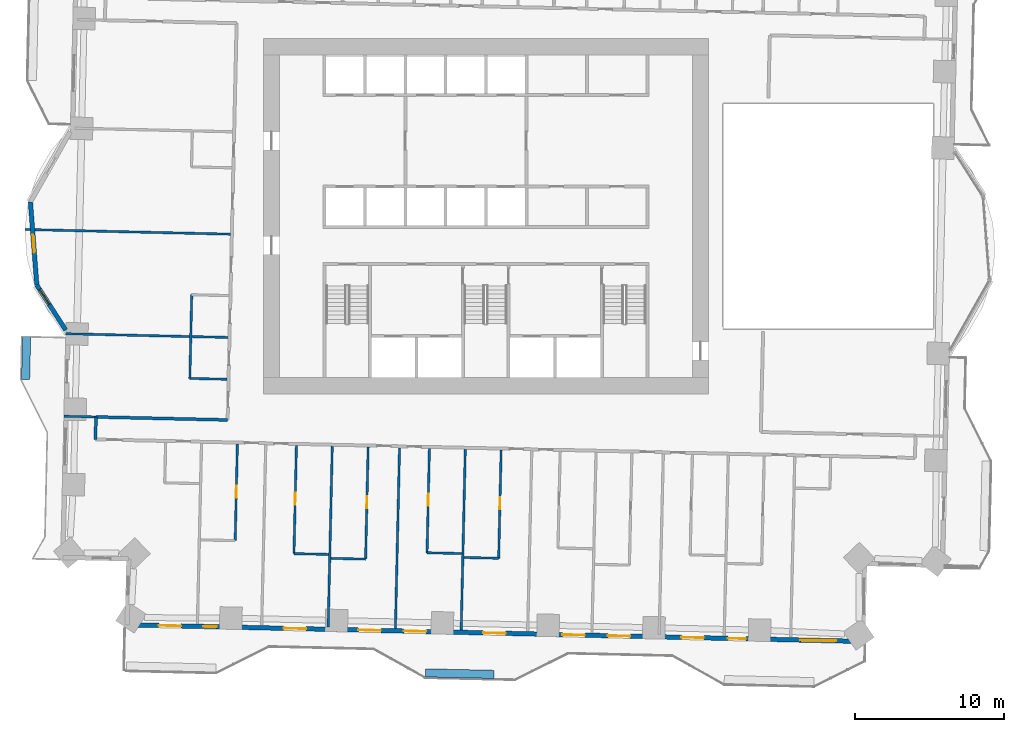
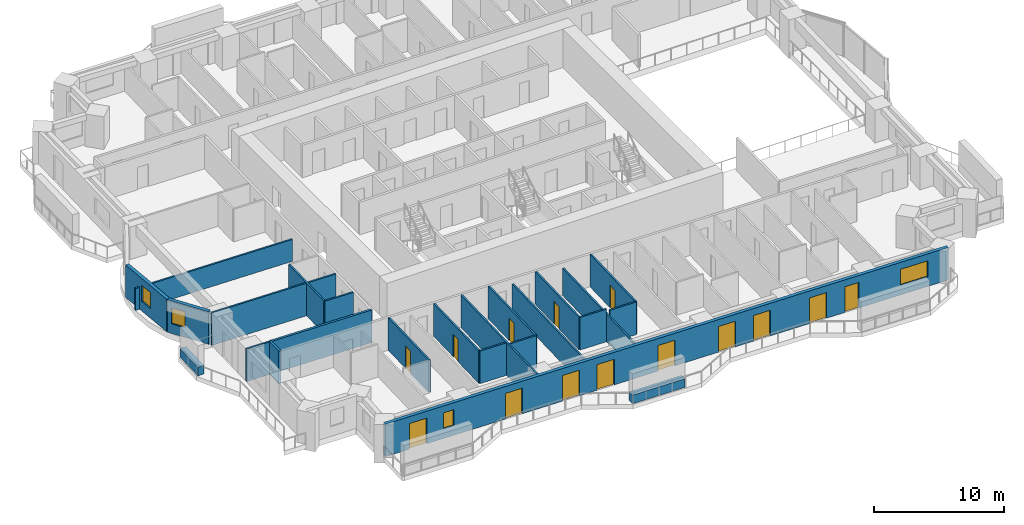
# One storey, part 8 of 20: 24 walls, 14 doors, 4 windows, 18 openings.
"""IFC4 building model written with IfcOpenShell, lengths in metres."""

from ifc_helpers import new_model, si_unit, direction, frame, frame_2d, origin, place, context, subcontext, project, spatial, rectangle, extrude, material, layer, layer_set, type_object, element, fill, save


model = new_model("IFC4")

# Units and contexts
model_context = context("Model", 3, precision=1e-05, world=origin(), true_north=direction((0.0, 1.0)))
body_context = subcontext(model_context, "Body", "Model", "MODEL_VIEW")
ifc_project = project(units=[si_unit("LENGTHUNIT", "METRE"), si_unit("AREAUNIT", "SQUARE_METRE"), si_unit("VOLUMEUNIT", "CUBIC_METRE"), si_unit("PLANEANGLEUNIT", "RADIAN"), si_unit("MASSUNIT", "GRAM", prefix="KILO")], contexts=[model_context])

# Site, building, storey
site_placement = place(None, origin())
site = spatial("IfcSite", under=ifc_project, at=site_placement, CompositionType="ELEMENT")
building_placement = place(site_placement, origin())
building = spatial("IfcBuilding", under=site, at=building_placement, Name="Mangrove Gate Tower", CompositionType="ELEMENT")
storey_placement = place(building_placement, frame((0.0, 0.0, 60.300048828125)))
storey = spatial("IfcBuildingStorey", under=building, at=storey_placement, Name="L14", CompositionType="ELEMENT", Elevation=60.300048828125)

# Walls
ifc_material_1 = material(Name="Gypsum board on steel stud, EI 60", Category="steel")
ifc_layer_1 = layer(ifc_material_1, 0.199951171875)
ifc_layer_set_1 = layer_set([ifc_layer_1], Name="Corridor wall EI 60")
wall_type_1 = type_object("IfcWallType", Name="Corridor wall EI 60", PredefinedType="PARTITIONING", material=ifc_layer_set_1)
wall_1_placement = place(storey_placement, frame((-26.1279296875, -14.924072265625, 0.0), z_axis=(0.0, 0.0, 1.0), x_axis=(0.022632637625, 0.99974384905, 0.0)))
element("IfcWall", 1, at=wall_1_placement, inside=storey, type_object=wall_type_1, Name="WALL-L14-033", PredefinedType="PARTITIONING", context=body_context, shape_type="SweptSolid", body=[
    extrude(rectangle(XDim=1.49951171875, YDim=0.199951171875, at=frame_2d((0.749755859375, 0.0))), origin(), (0.0, 0.0, 1.0), 3.050048828125),
])
wall_2_placement = place(storey_placement, frame((-26.092041015625, -13.425048828125, 0.0), z_axis=(0.0, 0.0, 1.0), x_axis=(0.999742550188, -0.022689939273, 0.0)))
element("IfcWall", 2, at=wall_2_placement, inside=storey, type_object=wall_type_1, Name="WALL-L14-037", PredefinedType="PARTITIONING", context=body_context, shape_type="SweptSolid", body=[
    extrude(rectangle(XDim=8.812255859375, YDim=0.199951171875, at=frame_2d((4.40625, 0.0))), origin(), (0.0, 0.0, 1.0), 3.050048828125),
])

# Wall, opening, window
ifc_material_2 = material(Name="Limestone", Category="masonry")
ifc_layer_2 = layer(ifc_material_2, 0.0400390625, Name="Limestone cladding")
ifc_material_3 = material(Name="Ventilated air gap")
ifc_layer_3 = layer(ifc_material_3, 0.0400390625, Name="Ventilated cavity")
ifc_material_4 = material(Name="Mineral wool insulation")
ifc_layer_4 = layer(ifc_material_4, 0.06005859375, Name="Insulation")
ifc_material_5 = material(Name="Breather membrane")
ifc_layer_5 = layer(ifc_material_5, 0.001953125, Name="Breather membrane")
ifc_material_6 = material(Name="Concrete C20/25 blockwork", Category="masonry")
ifc_layer_6 = layer(ifc_material_6, 0.14990234375, Name="Blockwork backing wall")
ifc_material_7 = material(Name="Gypsum plaster")
ifc_layer_7 = layer(ifc_material_7, 0.008056640625, Name="Internal plaster")
ifc_layer_set_2 = layer_set([ifc_layer_2, ifc_layer_3, ifc_layer_4, ifc_layer_5, ifc_layer_6, ifc_layer_7], Name="External wall 300 limestone cladding")
wall_type_2 = type_object("IfcWallType", Name="External wall 300 limestone cladding", PredefinedType="SOLIDWALL", material=ifc_layer_set_2)
wall_3_placement = place(storey_placement, frame((-30.47900390625, 0.951904296875, 0.0), z_axis=(0.0, 0.0, 1.0), x_axis=(0.076964476481, -0.997033835614, 0.0)))
wall_3 = element("IfcWall", 3, at=wall_3_placement, inside=storey, type_object=wall_type_2, Name="WALL-L14-W9f2", PredefinedType="SOLIDWALL", context=body_context, shape_type="SweptSolid", body=[
    extrude(rectangle(XDim=5.573486328125, YDim=0.300048828125, at=frame_2d((2.78662109375, 0.0))), origin(), (0.0, 0.0, 1.0), 3.050048828125),
])
opening_1_placement = place(wall_3_placement, frame((2.18603515625, 0.0, 0.89990234375)))
opening_1 = element("IfcOpeningElement", 4, at=opening_1_placement, cuts=wall_3, Name="Opening W1", PredefinedType="OPENING", context=body_context, shape_type="SweptSolid", body=[
    extrude(rectangle(XDim=1.199951171875, YDim=1.5, at=frame_2d((0.60009765625, 0.75))), frame((0.0, 0.159912109375, 0.0), z_axis=(0.0, -1.0, 0.0), x_axis=(1.0, 0.0, 0.0)), (0.0, 0.0, 1.0), 0.320068359375),
])
ifc_material_8 = material(Name="Aluminium frame with double-glazed low-e glass", Category="aluminium")
window_type_1 = type_object("IfcWindowType", Name="Side lite 1200x1500", PartitioningType="SINGLE_PANEL", PredefinedType="WINDOW", material=ifc_material_8)
window_1_placement = place(opening_1_placement, origin())
window_1 = element("IfcWindow", 5, at=window_1_placement, inside=storey, type_object=window_type_1, Name="WIN-L14-W9f2", OverallHeight=1.5, OverallWidth=1.199951171875, PartitioningType="SINGLE_PANEL", PredefinedType="WINDOW", context=body_context, shape_type="SweptSolid", body=[
    extrude(rectangle(XDim=1.199951171875, YDim=1.5, at=frame_2d((0.60009765625, 0.75))), frame((0.0, 0.030029296875, 0.0), z_axis=(0.0, -1.0, 0.0), x_axis=(1.0, 0.0, 0.0)), (0.0, 0.0, 1.0), 0.06005859375),
])
fill(opening_1, window_1)

wall_4_placement = place(storey_placement, frame((-30.050048828125, -4.60498046875, 0.0), z_axis=(0.0, 0.0, 1.0), x_axis=(0.540653885242, -0.841245134532, 0.0)))
wall_4 = element("IfcWall", 6, at=wall_4_placement, inside=storey, type_object=wall_type_2, Name="WALL-L14-W9f3", PredefinedType="SOLIDWALL", context=body_context, shape_type="SweptSolid", body=[
    extrude(rectangle(XDim=3.569580078125, YDim=0.300048828125, at=frame_2d((1.78466796875, 0.0))), origin(), (0.0, 0.0, 1.0), 3.050048828125),
])
opening_2_placement = place(wall_4_placement, frame((0.337890625, 0.0, 0.89990234375)))
opening_2 = element("IfcOpeningElement", 7, at=opening_2_placement, cuts=wall_4, Name="Opening W1", PredefinedType="OPENING", context=body_context, shape_type="SweptSolid", body=[
    extrude(rectangle(XDim=1.199951171875, YDim=1.5, at=frame_2d((0.60009765625, 0.75))), frame((0.0, 0.159912109375, 0.0), z_axis=(0.0, -1.0, 0.0), x_axis=(1.0, 0.0, 0.0)), (0.0, 0.0, 1.0), 0.320068359375),
])
window_2_placement = place(opening_2_placement, origin())
window_2 = element("IfcWindow", 8, at=window_2_placement, inside=storey, type_object=window_type_1, Name="WIN-L14-W9f3", OverallHeight=1.5, OverallWidth=1.199951171875, PartitioningType="SINGLE_PANEL", PredefinedType="WINDOW", context=body_context, shape_type="SweptSolid", body=[
    extrude(rectangle(XDim=1.199951171875, YDim=1.5, at=frame_2d((0.60009765625, 0.75))), frame((0.0, 0.030029296875, 0.0), z_axis=(0.0, -1.0, 0.0), x_axis=(1.0, 0.0, 0.0)), (0.0, 0.0, 1.0), 0.06005859375),
])
fill(opening_2, window_2)

# Wall, openings, doors, windows
wall_5_placement = place(storey_placement, frame((-24.007080078125, -27.325927734375, 0.0), z_axis=(0.0, 0.0, 1.0), x_axis=(0.999742536491, -0.022690542744, 0.0)))
wall_5 = element("IfcWall", 9, at=wall_5_placement, inside=storey, type_object=wall_type_2, Name="WALL-L14-S13", PredefinedType="SOLIDWALL", context=body_context, shape_type="SweptSolid", body=[
    extrude(rectangle(XDim=49.23583984375, YDim=0.300048828125, at=frame_2d((24.617919921875, 0.0))), origin(), (0.0, 0.0, 1.0), 3.050048828125),
])
opening_3_placement = place(wall_5_placement, frame((2.114990234375, 0.0, 0.0)))
opening_3 = element("IfcOpeningElement", 10, at=opening_3_placement, cuts=wall_5, Name="Opening BD1", PredefinedType="OPENING", context=body_context, shape_type="SweptSolid", body=[
    extrude(rectangle(XDim=1.5, YDim=2.39990234375, at=frame_2d((0.75, 1.199951171875))), frame((0.0, 0.159912109375, 0.0), z_axis=(0.0, -1.0, 0.0), x_axis=(1.0, 0.0, 0.0)), (0.0, 0.0, 1.0), 0.320068359375),
])
opening_4_placement = place(wall_5_placement, frame((5.087890625, 0.0, 0.89990234375)))
opening_4 = element("IfcOpeningElement", 11, at=opening_4_placement, cuts=wall_5, Name="Opening W5", PredefinedType="OPENING", context=body_context, shape_type="SweptSolid", body=[
    extrude(rectangle(XDim=0.89990234375, YDim=1.5, at=frame_2d((0.449951171875, 0.75))), frame((0.0, 0.159912109375, 0.0), z_axis=(0.0, -1.0, 0.0), x_axis=(1.0, 0.0, 0.0)), (0.0, 0.0, 1.0), 0.320068359375),
])
opening_5_placement = place(wall_5_placement, frame((10.47509765625, 0.0, 0.0)))
opening_5 = element("IfcOpeningElement", 12, at=opening_5_placement, cuts=wall_5, Name="Opening BD1", PredefinedType="OPENING", context=body_context, shape_type="SweptSolid", body=[
    extrude(rectangle(XDim=1.5, YDim=2.39990234375, at=frame_2d((0.75, 1.199951171875))), frame((0.0, 0.159912109375, 0.0), z_axis=(0.0, -1.0, 0.0), x_axis=(1.0, 0.0, 0.0)), (0.0, 0.0, 1.0), 0.320068359375),
])
opening_6_placement = place(wall_5_placement, frame((15.47705078125, 0.0, 0.0)))
opening_6 = element("IfcOpeningElement", 13, at=opening_6_placement, cuts=wall_5, Name="Opening BD1", PredefinedType="OPENING", context=body_context, shape_type="SweptSolid", body=[
    extrude(rectangle(XDim=1.5, YDim=2.39990234375, at=frame_2d((0.75, 1.199951171875))), frame((0.0, 0.159912109375, 0.0), z_axis=(0.0, -1.0, 0.0), x_axis=(1.0, 0.0, 0.0)), (0.0, 0.0, 1.0), 0.320068359375),
])
opening_7_placement = place(wall_5_placement, frame((18.514892578125, 0.0, 0.0)))
opening_7 = element("IfcOpeningElement", 14, at=opening_7_placement, cuts=wall_5, Name="Opening BD1", PredefinedType="OPENING", context=body_context, shape_type="SweptSolid", body=[
    extrude(rectangle(XDim=1.5, YDim=2.39990234375, at=frame_2d((0.75, 1.199951171875))), frame((0.0, 0.159912109375, 0.0), z_axis=(0.0, -1.0, 0.0), x_axis=(1.0, 0.0, 0.0)), (0.0, 0.0, 1.0), 0.320068359375),
])
opening_8_placement = place(wall_5_placement, frame((23.824951171875, 0.0, 0.0)))
opening_8 = element("IfcOpeningElement", 15, at=opening_8_placement, cuts=wall_5, Name="Opening BD1", PredefinedType="OPENING", context=body_context, shape_type="SweptSolid", body=[
    extrude(rectangle(XDim=1.5, YDim=2.39990234375, at=frame_2d((0.75, 1.199951171875))), frame((0.0, 0.159912109375, 0.0), z_axis=(0.0, -1.0, 0.0), x_axis=(1.0, 0.0, 0.0)), (0.0, 0.0, 1.0), 0.320068359375),
])
opening_9_placement = place(wall_5_placement, frame((29.1279296875, 0.0, 0.0)))
opening_9 = element("IfcOpeningElement", 16, at=opening_9_placement, cuts=wall_5, Name="Opening BD1", PredefinedType="OPENING", context=body_context, shape_type="SweptSolid", body=[
    extrude(rectangle(XDim=1.5, YDim=2.39990234375, at=frame_2d((0.75, 1.199951171875))), frame((0.0, 0.159912109375, 0.0), z_axis=(0.0, -1.0, 0.0), x_axis=(1.0, 0.0, 0.0)), (0.0, 0.0, 1.0), 0.320068359375),
])
opening_10_placement = place(wall_5_placement, frame((32.166015625, 0.0, 0.0)))
opening_10 = element("IfcOpeningElement", 17, at=opening_10_placement, cuts=wall_5, Name="Opening BD1", PredefinedType="OPENING", context=body_context, shape_type="SweptSolid", body=[
    extrude(rectangle(XDim=1.5, YDim=2.39990234375, at=frame_2d((0.75, 1.199951171875))), frame((0.0, 0.159912109375, 0.0), z_axis=(0.0, -1.0, 0.0), x_axis=(1.0, 0.0, 0.0)), (0.0, 0.0, 1.0), 0.320068359375),
])
opening_11_placement = place(wall_5_placement, frame((37.091064453125, 0.0, 0.0)))
opening_11 = element("IfcOpeningElement", 18, at=opening_11_placement, cuts=wall_5, Name="Opening BD1", PredefinedType="OPENING", context=body_context, shape_type="SweptSolid", body=[
    extrude(rectangle(XDim=1.5, YDim=2.39990234375, at=frame_2d((0.75, 1.199951171875))), frame((0.0, 0.159912109375, 0.0), z_axis=(0.0, -1.0, 0.0), x_axis=(1.0, 0.0, 0.0)), (0.0, 0.0, 1.0), 0.320068359375),
])
opening_12_placement = place(wall_5_placement, frame((40.205078125, 0.0, 0.0)))
opening_12 = element("IfcOpeningElement", 19, at=opening_12_placement, cuts=wall_5, Name="Opening BD2", PredefinedType="OPENING", context=body_context, shape_type="SweptSolid", body=[
    extrude(rectangle(XDim=1.199951171875, YDim=2.39990234375, at=frame_2d((0.60009765625, 1.199951171875))), frame((0.0, 0.159912109375, 0.0), z_axis=(0.0, -1.0, 0.0), x_axis=(1.0, 0.0, 0.0)), (0.0, 0.0, 1.0), 0.320068359375),
])
opening_13_placement = place(wall_5_placement, frame((45.047119140625, 0.0, 0.89990234375)))
opening_13 = element("IfcOpeningElement", 20, at=opening_13_placement, cuts=wall_5, Name="Opening W2", PredefinedType="OPENING", context=body_context, shape_type="SweptSolid", body=[
    extrude(rectangle(XDim=2.39990234375, YDim=1.5, at=frame_2d((1.199951171875, 0.75))), frame((0.0, 0.159912109375, 0.0), z_axis=(0.0, -1.0, 0.0), x_axis=(1.0, 0.0, 0.0)), (0.0, 0.0, 1.0), 0.320068359375),
])
ifc_material_9 = material(Name="Aluminium frame with laminated clear glass", Category="aluminium")
door_type_1 = type_object("IfcDoorType", Name="Balcony sliding door 1200x2400", OperationType="SLIDING_TO_LEFT", PredefinedType="DOOR", material=ifc_material_9)
door_1_placement = place(opening_12_placement, origin())
door_1 = element("IfcDoor", 21, at=door_1_placement, inside=storey, type_object=door_type_1, Name="DOOR-L14-S13-10", OperationType="SLIDING_TO_LEFT", OverallHeight=2.39990234375, OverallWidth=1.199951171875, PredefinedType="DOOR", context=body_context, shape_type="SweptSolid", body=[
    extrude(rectangle(XDim=1.199951171875, YDim=2.39990234375, at=frame_2d((0.60009765625, 1.199951171875))), frame((0.0, 0.02490234375, 0.0), z_axis=(0.0, -1.0, 0.0), x_axis=(1.0, 0.0, 0.0)), (0.0, 0.0, 1.0), 0.050048828125),
])
fill(opening_12, door_1)
ifc_material_10 = material(Name="Aluminium frame with laminated clear glass", Category="aluminium")
door_type_2 = type_object("IfcDoorType", Name="Balcony sliding door 1500x2400", OperationType="SLIDING_TO_LEFT", PredefinedType="DOOR", material=ifc_material_10)
door_2_placement = place(opening_3_placement, origin())
door_2 = element("IfcDoor", 22, at=door_2_placement, inside=storey, type_object=door_type_2, Name="DOOR-L14-S13-1", OperationType="SLIDING_TO_LEFT", OverallHeight=2.39990234375, OverallWidth=1.5, PredefinedType="DOOR", context=body_context, shape_type="SweptSolid", body=[
    extrude(rectangle(XDim=1.5, YDim=2.39990234375, at=frame_2d((0.75, 1.199951171875))), frame((0.0, 0.02490234375, 0.0), z_axis=(0.0, -1.0, 0.0), x_axis=(1.0, 0.0, 0.0)), (0.0, 0.0, 1.0), 0.050048828125),
])
fill(opening_3, door_2)
door_3_placement = place(opening_5_placement, origin())
door_3 = element("IfcDoor", 23, at=door_3_placement, inside=storey, type_object=door_type_2, Name="DOOR-L14-S13-3", OperationType="SLIDING_TO_LEFT", OverallHeight=2.39990234375, OverallWidth=1.5, PredefinedType="DOOR", context=body_context, shape_type="SweptSolid", body=[
    extrude(rectangle(XDim=1.5, YDim=2.39990234375, at=frame_2d((0.75, 1.199951171875))), frame((0.0, 0.02490234375, 0.0), z_axis=(0.0, -1.0, 0.0), x_axis=(1.0, 0.0, 0.0)), (0.0, 0.0, 1.0), 0.050048828125),
])
fill(opening_5, door_3)
door_4_placement = place(opening_6_placement, origin())
door_4 = element("IfcDoor", 24, at=door_4_placement, inside=storey, type_object=door_type_2, Name="DOOR-L14-S13-4", OperationType="SLIDING_TO_LEFT", OverallHeight=2.39990234375, OverallWidth=1.5, PredefinedType="DOOR", context=body_context, shape_type="SweptSolid", body=[
    extrude(rectangle(XDim=1.5, YDim=2.39990234375, at=frame_2d((0.75, 1.199951171875))), frame((0.0, 0.02490234375, 0.0), z_axis=(0.0, -1.0, 0.0), x_axis=(1.0, 0.0, 0.0)), (0.0, 0.0, 1.0), 0.050048828125),
])
fill(opening_6, door_4)
door_5_placement = place(opening_7_placement, origin())
door_5 = element("IfcDoor", 25, at=door_5_placement, inside=storey, type_object=door_type_2, Name="DOOR-L14-S13-5", OperationType="SLIDING_TO_LEFT", OverallHeight=2.39990234375, OverallWidth=1.5, PredefinedType="DOOR", context=body_context, shape_type="SweptSolid", body=[
    extrude(rectangle(XDim=1.5, YDim=2.39990234375, at=frame_2d((0.75, 1.199951171875))), frame((0.0, 0.02490234375, 0.0), z_axis=(0.0, -1.0, 0.0), x_axis=(1.0, 0.0, 0.0)), (0.0, 0.0, 1.0), 0.050048828125),
])
fill(opening_7, door_5)
door_6_placement = place(opening_8_placement, origin())
door_6 = element("IfcDoor", 26, at=door_6_placement, inside=storey, type_object=door_type_2, Name="DOOR-L14-S13-6", OperationType="SLIDING_TO_LEFT", OverallHeight=2.39990234375, OverallWidth=1.5, PredefinedType="DOOR", context=body_context, shape_type="SweptSolid", body=[
    extrude(rectangle(XDim=1.5, YDim=2.39990234375, at=frame_2d((0.75, 1.199951171875))), frame((0.0, 0.02490234375, 0.0), z_axis=(0.0, -1.0, 0.0), x_axis=(1.0, 0.0, 0.0)), (0.0, 0.0, 1.0), 0.050048828125),
])
fill(opening_8, door_6)
door_7_placement = place(opening_9_placement, origin())
door_7 = element("IfcDoor", 27, at=door_7_placement, inside=storey, type_object=door_type_2, Name="DOOR-L14-S13-7", OperationType="SLIDING_TO_LEFT", OverallHeight=2.39990234375, OverallWidth=1.5, PredefinedType="DOOR", context=body_context, shape_type="SweptSolid", body=[
    extrude(rectangle(XDim=1.5, YDim=2.39990234375, at=frame_2d((0.75, 1.199951171875))), frame((0.0, 0.02490234375, 0.0), z_axis=(0.0, -1.0, 0.0), x_axis=(1.0, 0.0, 0.0)), (0.0, 0.0, 1.0), 0.050048828125),
])
fill(opening_9, door_7)
door_8_placement = place(opening_10_placement, origin())
door_8 = element("IfcDoor", 28, at=door_8_placement, inside=storey, type_object=door_type_2, Name="DOOR-L14-S13-8", OperationType="SLIDING_TO_LEFT", OverallHeight=2.39990234375, OverallWidth=1.5, PredefinedType="DOOR", context=body_context, shape_type="SweptSolid", body=[
    extrude(rectangle(XDim=1.5, YDim=2.39990234375, at=frame_2d((0.75, 1.199951171875))), frame((0.0, 0.02490234375, 0.0), z_axis=(0.0, -1.0, 0.0), x_axis=(1.0, 0.0, 0.0)), (0.0, 0.0, 1.0), 0.050048828125),
])
fill(opening_10, door_8)
door_9_placement = place(opening_11_placement, origin())
door_9 = element("IfcDoor", 29, at=door_9_placement, inside=storey, type_object=door_type_2, Name="DOOR-L14-S13-9", OperationType="SLIDING_TO_LEFT", OverallHeight=2.39990234375, OverallWidth=1.5, PredefinedType="DOOR", context=body_context, shape_type="SweptSolid", body=[
    extrude(rectangle(XDim=1.5, YDim=2.39990234375, at=frame_2d((0.75, 1.199951171875))), frame((0.0, 0.02490234375, 0.0), z_axis=(0.0, -1.0, 0.0), x_axis=(1.0, 0.0, 0.0)), (0.0, 0.0, 1.0), 0.050048828125),
])
fill(opening_11, door_9)
ifc_material_11 = material(Name="Aluminium frame with double-glazed low-e glass", Category="aluminium")
window_type_2 = type_object("IfcWindowType", Name="Corner room window 2400x1500", PartitioningType="DOUBLE_PANEL_VERTICAL", PredefinedType="WINDOW", material=ifc_material_11)
window_3_placement = place(opening_13_placement, origin())
window_3 = element("IfcWindow", 30, at=window_3_placement, inside=storey, type_object=window_type_2, Name="WIN-L14-S13-11", OverallHeight=1.5, OverallWidth=2.39990234375, PartitioningType="DOUBLE_PANEL_VERTICAL", PredefinedType="WINDOW", context=body_context, shape_type="SweptSolid", body=[
    extrude(rectangle(XDim=2.39990234375, YDim=1.5, at=frame_2d((1.199951171875, 0.75))), frame((0.0, 0.030029296875, 0.0), z_axis=(0.0, -1.0, 0.0), x_axis=(1.0, 0.0, 0.0)), (0.0, 0.0, 1.0), 0.06005859375),
])
fill(opening_13, window_3)
ifc_material_12 = material(Name="Aluminium frame with double-glazed low-e glass", Category="aluminium")
window_type_3 = type_object("IfcWindowType", Name="Narrow window 900x1500", PartitioningType="SINGLE_PANEL", PredefinedType="WINDOW", material=ifc_material_12)
window_4_placement = place(opening_4_placement, origin())
window_4 = element("IfcWindow", 31, at=window_4_placement, inside=storey, type_object=window_type_3, Name="WIN-L14-S13-2", OverallHeight=1.5, OverallWidth=0.89990234375, PartitioningType="SINGLE_PANEL", PredefinedType="WINDOW", context=body_context, shape_type="SweptSolid", body=[
    extrude(rectangle(XDim=0.89990234375, YDim=1.5, at=frame_2d((0.449951171875, 0.75))), frame((0.0, 0.030029296875, 0.0), z_axis=(0.0, -1.0, 0.0), x_axis=(1.0, 0.0, 0.0)), (0.0, 0.0, 1.0), 0.06005859375),
])
fill(opening_4, window_4)

# Walls
ifc_material_13 = material(Name="Gypsum board on steel stud, EI 60", Category="steel")
ifc_layer_8 = layer(ifc_material_13, 0.14990234375)
ifc_layer_set_3 = layer_set([ifc_layer_8], Name="Party wall 150 EI 60")
wall_type_3 = type_object("IfcWallType", Name="Party wall 150 EI 60", PredefinedType="PARTITIONING", material=ifc_layer_set_3)
wall_6_placement = place(storey_placement, frame((-10.55908203125, -27.48095703125, 0.0), z_axis=(0.0, 0.0, 1.0), x_axis=(0.022658614335, 0.999743260641, 0.0)))
element("IfcWall", 32, at=wall_6_placement, inside=storey, type_object=wall_type_3, Name="WALL-L14-003", PredefinedType="PARTITIONING", context=body_context, shape_type="SweptSolid", body=[
    extrude(rectangle(XDim=12.10009765625, YDim=0.14990234375, at=frame_2d((6.050048828125, 0.0))), origin(), (0.0, 0.0, 1.0), 3.050048828125),
])
wall_7_placement = place(storey_placement, frame((-6.06005859375, -27.5830078125, 0.0), z_axis=(0.0, 0.0, 1.0), x_axis=(0.022658614335, 0.999743260641, 0.0)))
element("IfcWall", 33, at=wall_7_placement, inside=storey, type_object=wall_type_3, Name="WALL-L14-004", PredefinedType="PARTITIONING", context=body_context, shape_type="SweptSolid", body=[
    extrude(rectangle(XDim=12.10009765625, YDim=0.14990234375, at=frame_2d((6.050048828125, 0.0))), origin(), (0.0, 0.0, 1.0), 2.550048828125),
])
wall_8_placement = place(storey_placement, frame((-1.660888671875, -27.68310546875, 0.0), z_axis=(0.0, 0.0, 1.0), x_axis=(0.022637991173, 0.99974372784, 0.0)))
element("IfcWall", 34, at=wall_8_placement, inside=storey, type_object=wall_type_3, Name="WALL-L14-005", PredefinedType="PARTITIONING", context=body_context, shape_type="SweptSolid", body=[
    extrude(rectangle(XDim=12.100341796875, YDim=0.14990234375, at=frame_2d((6.05029296875, 0.0))), origin(), (0.0, 0.0, 1.0), 2.550048828125),
])
wall_9_placement = place(storey_placement, frame((-10.3779296875, -22.884033203125, 0.0), z_axis=(0.0, 0.0, 1.0), x_axis=(0.999749954681, -0.022361308448, 0.0)))
element("IfcWall", 35, at=wall_9_placement, inside=storey, type_object=wall_type_3, Name="WALL-L14-011", PredefinedType="PARTITIONING", context=body_context, shape_type="SweptSolid", body=[
    extrude(rectangle(XDim=2.325439453125, YDim=0.14990234375, at=frame_2d((1.16259765625, 0.0))), origin(), (0.0, 0.0, 1.0), 3.050048828125),
])

# Wall, opening, door
wall_10_placement = place(storey_placement, frame((-8.054931640625, -22.93603515625, 0.0), z_axis=(0.0, 0.0, 1.0), x_axis=(0.022656334507, 0.999743312309, 0.0)))
wall_10 = element("IfcWall", 36, at=wall_10_placement, inside=storey, type_object=wall_type_3, Name="WALL-L14-012", PredefinedType="PARTITIONING", context=body_context, shape_type="SweptSolid", body=[
    extrude(rectangle(XDim=7.5, YDim=0.14990234375, at=frame_2d((3.75, 0.0))), origin(), (0.0, 0.0, 1.0), 3.050048828125),
])
opening_14_placement = place(wall_10_placement, frame((3.39990234375, 0.0, 0.0)))
opening_14 = element("IfcOpeningElement", 37, at=opening_14_placement, cuts=wall_10, Name="Opening ED", PredefinedType="OPENING", context=body_context, shape_type="SweptSolid", body=[
    extrude(rectangle(XDim=0.800048828125, YDim=2.10009765625, at=frame_2d((0.39990234375, 1.050048828125))), frame((0.0, 0.0849609375, 0.0), z_axis=(0.0, -1.0, 0.0), x_axis=(1.0, 0.0, 0.0)), (0.0, 0.0, 1.0), 0.169921875),
])
ifc_material_14 = material(Name="Timber door leaf", Category="wood")
door_type_3 = type_object("IfcDoorType", Name="En-suite door 800", OperationType="SINGLE_SWING_LEFT", PredefinedType="DOOR", material=ifc_material_14)
door_10_placement = place(opening_14_placement, origin())
door_10 = element("IfcDoor", 38, at=door_10_placement, inside=storey, type_object=door_type_3, Name="DOOR-L14-ENS-c103", OperationType="SINGLE_SWING_LEFT", OverallHeight=2.10009765625, OverallWidth=0.800048828125, PredefinedType="DOOR", context=body_context, shape_type="SweptSolid", body=[
    extrude(rectangle(XDim=0.800048828125, YDim=2.10009765625, at=frame_2d((0.39990234375, 1.050048828125))), frame((0.0, 0.02490234375, 0.0), z_axis=(0.0, -1.0, 0.0), x_axis=(1.0, 0.0, 0.0)), (0.0, 0.0, 1.0), 0.050048828125),
])
fill(opening_14, door_10)

wall_11_placement = place(storey_placement, frame((-12.847900390625, -22.568115234375, 0.0), z_axis=(0.0, 0.0, 1.0), x_axis=(0.022624135841, 0.999744041481, 0.0)))
wall_11 = element("IfcWall", 39, at=wall_11_placement, inside=storey, type_object=wall_type_3, Name="WALL-L14-015", PredefinedType="PARTITIONING", context=body_context, shape_type="SweptSolid", body=[
    extrude(rectangle(XDim=7.240966796875, YDim=0.14990234375, at=frame_2d((3.62060546875, 0.0))), origin(), (0.0, 0.0, 1.0), 3.050048828125),
])
opening_15_placement = place(wall_11_placement, frame((3.27001953125, 0.0, 0.0)))
opening_15 = element("IfcOpeningElement", 40, at=opening_15_placement, cuts=wall_11, Name="Opening ED", PredefinedType="OPENING", context=body_context, shape_type="SweptSolid", body=[
    extrude(rectangle(XDim=0.800048828125, YDim=2.10009765625, at=frame_2d((0.39990234375, 1.050048828125))), frame((0.0, 0.0849609375, 0.0), z_axis=(0.0, -1.0, 0.0), x_axis=(1.0, 0.0, 0.0)), (0.0, 0.0, 1.0), 0.169921875),
])
door_11_placement = place(opening_15_placement, origin())
door_11 = element("IfcDoor", 41, at=door_11_placement, inside=storey, type_object=door_type_3, Name="DOOR-L14-ENS-c102", OperationType="SINGLE_SWING_RIGHT", OverallHeight=2.10009765625, OverallWidth=0.800048828125, PredefinedType="DOOR", context=body_context, shape_type="SweptSolid", body=[
    extrude(rectangle(XDim=0.800048828125, YDim=2.10009765625, at=frame_2d((0.39990234375, 1.050048828125))), frame((0.0, 0.02490234375, 0.0), z_axis=(0.0, -1.0, 0.0), x_axis=(1.0, 0.0, 0.0)), (0.0, 0.0, 1.0), 0.050048828125),
])
fill(opening_15, door_11)

# Walls
wall_12_placement = place(storey_placement, frame((-12.845947265625, -22.568115234375, 0.0), z_axis=(0.0, 0.0, 1.0), x_axis=(0.999749744571, -0.022370700241, 0.0)))
element("IfcWall", 42, at=wall_12_placement, inside=storey, type_object=wall_type_3, Name="WALL-L14-016", PredefinedType="PARTITIONING", context=body_context, shape_type="SweptSolid", body=[
    extrude(rectangle(XDim=2.324462890625, YDim=0.14990234375, at=frame_2d((1.162109375, 0.0))), origin(), (0.0, 0.0, 1.0), 3.050048828125),
])
wall_13_placement = place(storey_placement, frame((-1.47412109375, -22.825927734375, 0.0), z_axis=(0.0, 0.0, 1.0), x_axis=(0.999749797124, -0.022368351553, 0.0)))
element("IfcWall", 43, at=wall_13_placement, inside=storey, type_object=wall_type_3, Name="WALL-L14-017", PredefinedType="PARTITIONING", context=body_context, shape_type="SweptSolid", body=[
    extrude(rectangle(XDim=2.32470703125, YDim=0.14990234375, at=frame_2d((1.162353515625, 0.0))), origin(), (0.0, 0.0, 1.0), 3.050048828125),
])

# Wall, opening, door
wall_14_placement = place(storey_placement, frame((0.847900390625, -22.8779296875, 0.0), z_axis=(0.0, 0.0, 1.0), x_axis=(0.022660891034, 0.999743209038, 0.0)))
wall_14 = element("IfcWall", 44, at=wall_14_placement, inside=storey, type_object=wall_type_3, Name="WALL-L14-018", PredefinedType="PARTITIONING", context=body_context, shape_type="SweptSolid", body=[
    extrude(rectangle(XDim=7.239990234375, YDim=0.14990234375, at=frame_2d((3.6201171875, 0.0))), origin(), (0.0, 0.0, 1.0), 3.050048828125),
])
opening_16_placement = place(wall_14_placement, frame((3.27001953125, 0.0, 0.0)))
opening_16 = element("IfcOpeningElement", 45, at=opening_16_placement, cuts=wall_14, Name="Opening ED", PredefinedType="OPENING", context=body_context, shape_type="SweptSolid", body=[
    extrude(rectangle(XDim=0.800048828125, YDim=2.10009765625, at=frame_2d((0.39990234375, 1.050048828125))), frame((0.0, 0.0849609375, 0.0), z_axis=(0.0, -1.0, 0.0), x_axis=(1.0, 0.0, 0.0)), (0.0, 0.0, 1.0), 0.169921875),
])
door_12_placement = place(opening_16_placement, origin())
door_12 = element("IfcDoor", 46, at=door_12_placement, inside=storey, type_object=door_type_3, Name="DOOR-L14-ENS-c205", OperationType="SINGLE_SWING_LEFT", OverallHeight=2.10009765625, OverallWidth=0.800048828125, PredefinedType="DOOR", context=body_context, shape_type="SweptSolid", body=[
    extrude(rectangle(XDim=0.800048828125, YDim=2.10009765625, at=frame_2d((0.39990234375, 1.050048828125))), frame((0.0, 0.02490234375, 0.0), z_axis=(0.0, -1.0, 0.0), x_axis=(1.0, 0.0, 0.0)), (0.0, 0.0, 1.0), 0.050048828125),
])
fill(opening_16, door_12)

wall_15_placement = place(storey_placement, frame((-3.945068359375, -22.510009765625, 0.0), z_axis=(0.0, 0.0, 1.0), x_axis=(0.022802437343, 0.999739990623, 0.0)))
wall_15 = element("IfcWall", 47, at=wall_15_placement, inside=storey, type_object=wall_type_3, Name="WALL-L14-021", PredefinedType="PARTITIONING", context=body_context, shape_type="SweptSolid", body=[
    extrude(rectangle(XDim=6.980712890625, YDim=0.14990234375, at=frame_2d((3.490234375, 0.0))), origin(), (0.0, 0.0, 1.0), 3.050048828125),
])
opening_17_placement = place(wall_15_placement, frame((3.139892578125, 0.0, 0.0)))
opening_17 = element("IfcOpeningElement", 48, at=opening_17_placement, cuts=wall_15, Name="Opening ED", PredefinedType="OPENING", context=body_context, shape_type="SweptSolid", body=[
    extrude(rectangle(XDim=0.800048828125, YDim=2.10009765625, at=frame_2d((0.39990234375, 1.050048828125))), frame((0.0, 0.0849609375, 0.0), z_axis=(0.0, -1.0, 0.0), x_axis=(1.0, 0.0, 0.0)), (0.0, 0.0, 1.0), 0.169921875),
])
door_13_placement = place(opening_17_placement, origin())
door_13 = element("IfcDoor", 49, at=door_13_placement, inside=storey, type_object=door_type_3, Name="DOOR-L14-ENS-c104", OperationType="SINGLE_SWING_RIGHT", OverallHeight=2.10009765625, OverallWidth=0.800048828125, PredefinedType="DOOR", context=body_context, shape_type="SweptSolid", body=[
    extrude(rectangle(XDim=0.800048828125, YDim=2.10009765625, at=frame_2d((0.39990234375, 1.050048828125))), frame((0.0, 0.02490234375, 0.0), z_axis=(0.0, -1.0, 0.0), x_axis=(1.0, 0.0, 0.0)), (0.0, 0.0, 1.0), 0.050048828125),
])
fill(opening_17, door_13)

# Wall
wall_16_placement = place(storey_placement, frame((-3.943115234375, -22.510009765625, 0.0), z_axis=(0.0, 0.0, 1.0), x_axis=(0.999750007167, -0.022358961731, 0.0)))
element("IfcWall", 50, at=wall_16_placement, inside=storey, type_object=wall_type_3, Name="WALL-L14-022", PredefinedType="PARTITIONING", context=body_context, shape_type="SweptSolid", body=[
    extrude(rectangle(XDim=2.32568359375, YDim=0.14990234375, at=frame_2d((1.162841796875, 0.0))), origin(), (0.0, 0.0, 1.0), 3.050048828125),
])

# Wall, opening, door
wall_17_placement = place(storey_placement, frame((-16.780029296875, -21.697998046875, 0.0), z_axis=(0.0, 0.0, 1.0), x_axis=(0.022752312182, 0.999741132639, 0.0)))
wall_17 = element("IfcWall", 51, at=wall_17_placement, inside=storey, type_object=wall_type_3, Name="WALL-L14-026", PredefinedType="PARTITIONING", context=body_context, shape_type="SweptSolid", body=[
    extrude(rectangle(XDim=6.459716796875, YDim=0.14990234375, at=frame_2d((3.22998046875, 0.0))), origin(), (0.0, 0.0, 1.0), 3.050048828125),
])
opening_18_placement = place(wall_17_placement, frame((2.8798828125, 0.0, 0.0)))
opening_18 = element("IfcOpeningElement", 52, at=opening_18_placement, cuts=wall_17, Name="Opening ED", PredefinedType="OPENING", context=body_context, shape_type="SweptSolid", body=[
    extrude(rectangle(XDim=0.800048828125, YDim=2.10009765625, at=frame_2d((0.39990234375, 1.050048828125))), frame((0.0, 0.0849609375, 0.0), z_axis=(0.0, -1.0, 0.0), x_axis=(1.0, 0.0, 0.0)), (0.0, 0.0, 1.0), 0.169921875),
])
door_14_placement = place(opening_18_placement, origin())
door_14 = element("IfcDoor", 53, at=door_14_placement, inside=storey, type_object=door_type_3, Name="DOOR-L14-ENS-c101", OperationType="SINGLE_SWING_LEFT", OverallHeight=2.10009765625, OverallWidth=0.800048828125, PredefinedType="DOOR", context=body_context, shape_type="SweptSolid", body=[
    extrude(rectangle(XDim=0.800048828125, YDim=2.10009765625, at=frame_2d((0.39990234375, 1.050048828125))), frame((0.0, 0.02490234375, 0.0), z_axis=(0.0, -1.0, 0.0), x_axis=(1.0, 0.0, 0.0)), (0.0, 0.0, 1.0), 0.050048828125),
])
fill(opening_18, door_14)

# Walls
wall_18_placement = place(storey_placement, frame((-28.241943359375, -13.3759765625, 0.0), z_axis=(0.0, 0.0, 1.0), x_axis=(0.999739603527, -0.022819402715, 0.0)))
element("IfcWall", 54, at=wall_18_placement, inside=storey, type_object=wall_type_3, Name="WALL-L14-036", PredefinedType="PARTITIONING", context=body_context, shape_type="SweptSolid", body=[
    extrude(rectangle(XDim=2.150390625, YDim=0.14990234375, at=frame_2d((1.0751953125, 0.0))), origin(), (0.0, 0.0, 1.0), 3.050048828125),
])
wall_19_placement = place(storey_placement, frame((-19.819091796875, -10.845947265625, 0.0), z_axis=(0.0, 0.0, 1.0), x_axis=(0.999738801317, -0.022854521249, 0.0)))
element("IfcWall", 55, at=wall_19_placement, inside=storey, type_object=wall_type_3, Name="WALL-L14-042", PredefinedType="PARTITIONING", context=body_context, shape_type="SweptSolid", body=[
    extrude(rectangle(XDim=2.499755859375, YDim=0.14990234375, at=frame_2d((1.25, 0.0))), origin(), (0.0, 0.0, 1.0), 3.050048828125),
])
wall_20_placement = place(storey_placement, frame((-19.81396484375, -10.842041015625, 0.0), z_axis=(0.0, 0.0, 1.0), x_axis=(0.022667933447, 0.999743049385, 0.0)))
element("IfcWall", 56, at=wall_20_placement, inside=storey, type_object=wall_type_3, Name="WALL-L14-043", PredefinedType="PARTITIONING", context=body_context, shape_type="SweptSolid", body=[
    extrude(rectangle(XDim=5.6005859375, YDim=0.14990234375, at=frame_2d((2.80029296875, 0.0))), origin(), (0.0, 0.0, 1.0), 3.050048828125),
])
wall_21_placement = place(storey_placement, frame((-28.115966796875, -7.85693359375, 0.0), z_axis=(0.0, 0.0, 1.0), x_axis=(0.999741301527, -0.022744890004, 0.0)))
element("IfcWall", 57, at=wall_21_placement, inside=storey, type_object=wall_type_3, Name="WALL-L14-044", PredefinedType="PARTITIONING", context=body_context, shape_type="SweptSolid", body=[
    extrude(rectangle(XDim=10.86279296875, YDim=0.14990234375, at=frame_2d((5.431396484375, 0.0))), origin(), (0.0, 0.0, 1.0), 3.050048828125),
])
wall_22_placement = place(storey_placement, frame((-30.85595703125, -0.883056640625, 0.0), z_axis=(0.0, 0.0, 1.0), x_axis=(0.999741248952, -0.022747200787, 0.0)))
element("IfcWall", 58, at=wall_22_placement, inside=storey, type_object=wall_type_3, Name="WALL-L14-046", PredefinedType="PARTITIONING", context=body_context, shape_type="SweptSolid", body=[
    extrude(rectangle(XDim=13.759521484375, YDim=0.14990234375, at=frame_2d((6.8798828125, 0.0))), origin(), (0.0, 0.0, 1.0), 2.050048828125),
])
ifc_material_15 = material(Name="Concrete C32/40", Category="concrete")
ifc_layer_9 = layer(ifc_material_15, 0.199951171875, Name="Planter trough wall")
ifc_material_16 = material(Name="Bituminous waterproofing membrane")
ifc_layer_10 = layer(ifc_material_16, 0.0048828125, Name="Waterproofing")
ifc_material_17 = material(Name="Drainage board and gravel")
ifc_layer_11 = layer(ifc_material_17, 0.044921875, Name="Drainage layer")
ifc_material_18 = material(Name="Planting soil")
ifc_layer_12 = layer(ifc_material_18, 0.300048828125, Name="Growing medium")
ifc_layer_set_4 = layer_set([ifc_layer_9, ifc_layer_10, ifc_layer_11, ifc_layer_12], Name="Planter wall 550 C32/40")
wall_type_4 = type_object("IfcWallType", Name="Planter wall 550 C32/40", PredefinedType="USERDEFINED", material=ifc_layer_set_4)
wall_23_placement = place(storey_placement, frame((-30.802001953125, -10.9169921875, 0.0), z_axis=(0.0, 0.0, 1.0), x_axis=(0.022929749512, 0.99973707873, 0.0)))
element("IfcWall", 59, at=wall_23_placement, inside=storey, type_object=wall_type_4, Name="PLANTER L14 W1.1", ObjectType="PLANTER", PredefinedType="USERDEFINED", context=body_context, shape_type="SweptSolid", body=[
    extrude(rectangle(XDim=2.874755859375, YDim=0.550048828125, at=frame_2d((1.4375, 0.0))), origin(), (0.0, 0.0, 1.0), 0.800048828125),
])
wall_24_placement = place(storey_placement, frame((-4.056884765625, -30.5439453125, 0.0), z_axis=(0.0, 0.0, 1.0), x_axis=(0.999744377441, -0.022609285172, 0.0)))
element("IfcWall", 60, at=wall_24_placement, inside=storey, type_object=wall_type_4, Name="PLANTER L14 S0.2", ObjectType="PLANTER", PredefinedType="USERDEFINED", context=body_context, shape_type="SweptSolid", body=[
    extrude(rectangle(XDim=4.60009765625, YDim=0.550048828125, at=frame_2d((2.300048828125, 0.0))), origin(), (0.0, 0.0, 1.0), 0.800048828125),
])

save(model, "model.ifc")
